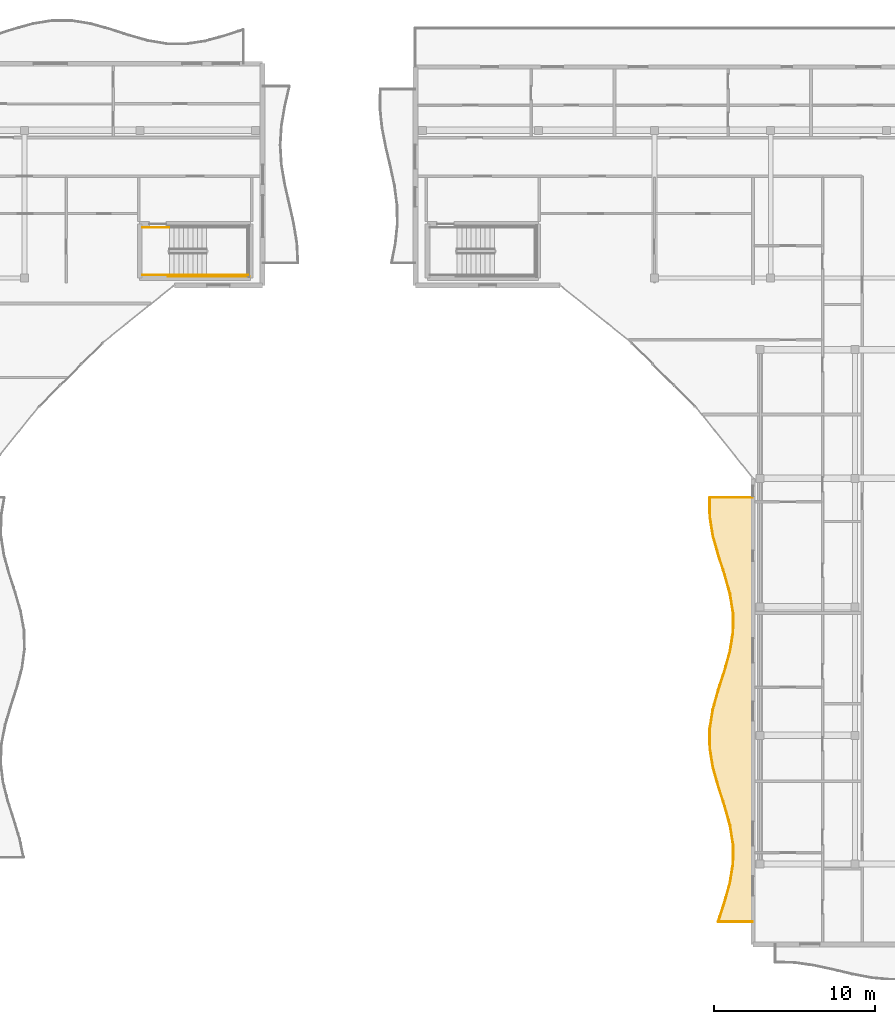
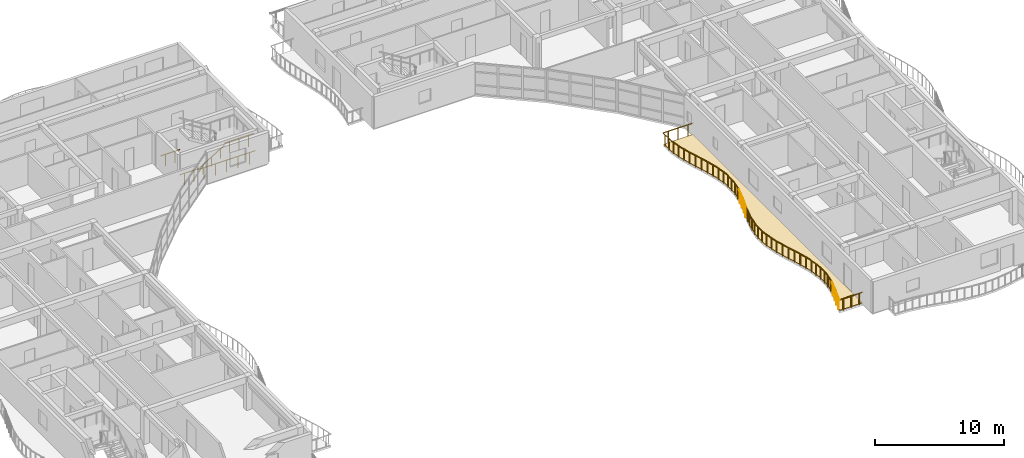
# One storey, part 33 of 39: 29 railings, 1 covering.
"""IFC4 building model written with IfcOpenShell, lengths in metres."""

import ifcopenshell
import ifcopenshell.guid

model = None  # the IFC model being written
_history = None  # IfcOwnerHistory: only IFC2X3 demands one
_inside = {}  # id of a spatial element -> (the spatial element, [elements in it])
_under = {}  # id of a project, library or spatial element -> (it, [spatial elements below it])
_declared = {}  # id of a project -> (the project, [libraries it declares])
_typed = {}  # id of a type object -> (the type object, [elements of that type])
_made_of = {}  # id of a material, layer set ... -> (it, [elements and type objects made of it])


def new_model(schema):
    """Start an empty IFC model of exactly this schema.

    Asked for "IFC4X3", IfcOpenShell would pick the latest addendum, in which some entities
    have other attributes; the version numbers below select the first issue.
    IFC2X3 requires an IfcOwnerHistory on every rooted entity: one is made here for all.
    """
    global model, _history
    if schema == "IFC4X3":
        model = ifcopenshell.file(schema_version=(4, 3, 0, 0))
    else:
        model = ifcopenshell.file(schema=schema)
    _inside.clear()
    _under.clear()
    _declared.clear()
    _typed.clear()
    _made_of.clear()
    _history = None
    if model.schema == "IFC2X3":
        org = make("IfcOrganization", Name="unknown")
        user = make(
            "IfcPersonAndOrganization",
            ThePerson=make("IfcPerson", FamilyName="unknown"),
            TheOrganization=org,
        )
        app = make(
            "IfcApplication",
            ApplicationDeveloper=org,
            Version="unknown",
            ApplicationFullName="unknown",
            ApplicationIdentifier="unknown",
        )
        _history = make(
            "IfcOwnerHistory",
            OwningUser=user,
            OwningApplication=app,
            ChangeAction="ADDED",
            CreationDate=0,
        )
    return model


def make(cls, **values):
    """One entity of the class cls with the attributes given. An attribute that is None is left unset."""
    return model.create_entity(
        cls, **{name: value for name, value in values.items() if value is not None}
    )


def rooted(cls, **values):
    """An entity with a GlobalId (a new one), such as an element, a storey or a relation."""
    return make(cls, GlobalId=ifcopenshell.guid.new(), OwnerHistory=_history, **values)


def si_unit(unit_type, name, prefix=None):
    """IfcSIUnit, for example si_unit("LENGTHUNIT", "METRE", prefix="MILLI")."""
    return make("IfcSIUnit", UnitType=unit_type, Prefix=prefix, Name=name)


def assignment(units):
    """IfcUnitAssignment: the units of a project."""
    return None if units is None else make("IfcUnitAssignment", Units=units)


def point(xyz):
    """IfcCartesianPoint."""
    return None if xyz is None else make("IfcCartesianPoint", Coordinates=xyz)


def direction(xyz):
    """IfcDirection."""
    return None if xyz is None else make("IfcDirection", DirectionRatios=xyz)


def frame(location, z_axis=None, x_axis=None):
    """IfcAxis2Placement3D, a coordinate frame: its origin and axes. An axis left out is left unset."""
    return make(
        "IfcAxis2Placement3D",
        Location=point(location),
        Axis=direction(z_axis),
        RefDirection=direction(x_axis),
    )


def frame_2d(location, x_axis=None):
    """IfcAxis2Placement2D, a coordinate frame in the plane: its origin and x axis."""
    return make(
        "IfcAxis2Placement2D", Location=point(location), RefDirection=direction(x_axis)
    )


def origin():
    """The frame at (0, 0, 0) with its axes left unset."""
    return frame((0.0, 0.0, 0.0))


def origin_2d():
    """The frame at (0, 0) in the plane with its x axis left unset."""
    return frame_2d((0.0, 0.0))


def place(relative_to, where):
    """IfcLocalPlacement: puts the frame where relative to a parent placement (None: the world)."""
    return make(
        "IfcLocalPlacement", PlacementRelTo=relative_to, RelativePlacement=where
    )


def context(
    kind, dimensions, precision=None, world=None, true_north=None, identifier=None
):
    """IfcGeometricRepresentationContext, for example the 3D "Model" context."""
    return make(
        "IfcGeometricRepresentationContext",
        ContextIdentifier=identifier,
        ContextType=kind,
        CoordinateSpaceDimension=dimensions,
        Precision=precision,
        WorldCoordinateSystem=world,
        TrueNorth=true_north,
    )


def subcontext(parent, identifier, kind, view, scale=None):
    """IfcGeometricRepresentationSubContext, for example "Body" below "Model"."""
    return make(
        "IfcGeometricRepresentationSubContext",
        ContextIdentifier=identifier,
        ContextType=kind,
        ParentContext=parent,
        TargetScale=scale,
        TargetView=view,
    )


def project(units=None, contexts=None):
    """IfcProject with its units and contexts."""
    return rooted(
        "IfcProject",
        Name="project",
        RepresentationContexts=contexts,
        UnitsInContext=assignment(units),
    )


def spatial(cls, under=None, at=None, **own):
    """A site, building, storey or space (cls), placed at a placement, below another one or the project."""
    s = rooted(cls, ObjectPlacement=at, **own)
    if under is not None:
        _under.setdefault(under.id(), (under, []))[1].append(s)
    return s


def polyline(points):
    """IfcPolyline through the points."""
    return make("IfcPolyline", Points=[point(p) for p in points])


def profile(cls, at=None, kind="AREA", **sizes):
    """A parametric profile (cls). Its sizes go by their IFC names, for example OverallWidth=200.0."""
    return make(cls, ProfileType=kind, Position=at, **sizes)


def circle(**sizes):
    """IfcCircleProfileDef."""
    return profile("IfcCircleProfileDef", **sizes)


def outline(outer, holes=None, kind="AREA"):
    """IfcArbitraryClosedProfileDef: a profile drawn as a closed curve; with holes, ...WithVoids."""
    if holes is None:
        return make("IfcArbitraryClosedProfileDef", ProfileType=kind, OuterCurve=outer)
    return make(
        "IfcArbitraryProfileDefWithVoids",
        ProfileType=kind,
        OuterCurve=outer,
        InnerCurves=holes,
    )


def extrude(swept, where, along, depth):
    """IfcExtrudedAreaSolid: the profile swept, set in the frame where, extruded along a direction by depth."""
    return make(
        "IfcExtrudedAreaSolid",
        SweptArea=swept,
        Position=where,
        ExtrudedDirection=direction(along),
        Depth=depth,
    )


def shape(context_of_items, identifier, shape_type, items):
    """IfcShapeRepresentation: the items that make up one representation, for example the "Body"."""
    return make(
        "IfcShapeRepresentation",
        ContextOfItems=context_of_items,
        RepresentationIdentifier=identifier,
        RepresentationType=shape_type,
        Items=items,
    )


def material(Name=None, Category=None):
    """IfcMaterial."""
    return make("IfcMaterial", Name=Name, Category=Category)


def layer(
    of_material, thickness, ventilated=None, Name=None, Category=None, Priority=None
):
    """IfcMaterialLayer: one layer of a wall or slab, of a material (None: an air gap)."""
    return make(
        "IfcMaterialLayer",
        Material=of_material,
        LayerThickness=thickness,
        IsVentilated=ventilated,
        Name=Name,
        Category=Category,
        Priority=Priority,
    )


def layer_set(layers, Name=None):
    """IfcMaterialLayerSet."""
    return make("IfcMaterialLayerSet", MaterialLayers=layers, LayerSetName=Name)


def made_of(thing, what):
    """Note that an element or type object is made of a material, layer set ...; save() writes the relation."""
    if what is not None:
        _made_of.setdefault(what.id(), (what, []))[1].append(thing)
    return thing


def type_object(cls, material=None, **own):
    """A type object (cls), such as IfcWallType, which elements share."""
    return made_of(rooted(cls, **own), material)


def element(
    cls,
    number,
    at=None,
    inside=None,
    cuts=None,
    type_object=None,
    material=None,
    context=None,
    identifier="Body",
    shape_type=None,
    held_by="IfcProductDefinitionShape",
    body=None,
    shapes=None,
    **own,
):
    """One element of the class cls, such as IfcWall. Its Tag is "e" and its number.

    at: its placement. inside: the storey or other place that contains it. cuts: it is an
    opening in that element (IfcRelVoidsElement). A single representation is given by context,
    identifier, shape_type and body (its items); several are given by shapes. held_by: the class
    of the entity that holds the representations. save() writes the other relations.
    """
    e = rooted(cls, Tag="e%d" % number, ObjectPlacement=at, **own)
    if body is not None:
        shapes = [shape(context, identifier, shape_type, body)]
    if shapes is not None:
        e.Representation = make(held_by, Representations=shapes)
    if inside is not None:
        _inside.setdefault(inside.id(), (inside, []))[1].append(e)
    if cuts is not None:
        rooted(
            "IfcRelVoidsElement", RelatingBuildingElement=cuts, RelatedOpeningElement=e
        )
    if type_object is not None:
        _typed.setdefault(type_object.id(), (type_object, []))[1].append(e)
    return made_of(e, material)


def aggregate(whole, parts):
    """IfcRelAggregates: a whole, such as a stair, and the parts it consists of."""
    return rooted("IfcRelAggregates", RelatingObject=whole, RelatedObjects=parts)


def save(model, path):
    """Write the relations noted so far, then the file.

    IfcRelAggregates (storeys below a building ...), IfcRelContainedInSpatialStructure (elements
    in a storey), IfcRelDefinesByType, IfcRelAssociatesMaterial and IfcRelDeclares: one each for
    every whole, place, type object, material and project.
    """
    for whole, parts in _under.values():
        aggregate(whole, parts)
    for where, things in _inside.values():
        rooted(
            "IfcRelContainedInSpatialStructure",
            RelatedElements=things,
            RelatingStructure=where,
        )
    for kind, things in _typed.values():
        rooted("IfcRelDefinesByType", RelatedObjects=things, RelatingType=kind)
    for what, things in _made_of.values():
        rooted("IfcRelAssociatesMaterial", RelatedObjects=things, RelatingMaterial=what)
    for by, libraries in _declared.values():
        rooted("IfcRelDeclares", RelatingContext=by, RelatedDefinitions=libraries)
    model.write(path)


model = new_model("IFC4")

# Units and contexts
model_context = context("Model", 3, precision=1e-05, world=origin(), true_north=direction((0.0, 1.0)))
body_context = subcontext(model_context, "Body", "Model", "MODEL_VIEW")
ifc_project = project(units=[si_unit("LENGTHUNIT", "METRE"), si_unit("AREAUNIT", "SQUARE_METRE"), si_unit("VOLUMEUNIT", "CUBIC_METRE"), si_unit("PLANEANGLEUNIT", "RADIAN"), si_unit("MASSUNIT", "GRAM", prefix="KILO")], contexts=[model_context])

# Site, building, storey
site_placement = place(None, origin())
site = spatial("IfcSite", under=ifc_project, at=site_placement, CompositionType="ELEMENT")
building_placement = place(site_placement, origin())
building = spatial("IfcBuilding", under=site, at=building_placement, Name="Keldmere Railside Commons", CompositionType="ELEMENT")
storey_placement = place(building_placement, frame((0.0, 0.0, 32.9599609375)))
storey = spatial("IfcBuildingStorey", under=building, at=storey_placement, Name="L10", CompositionType="ELEMENT", Elevation=32.9599609375)

# Railings
ifc_material_1 = material(Name="Steel F-24 (S235)", Category="steel")
railing_type_1 = type_object("IfcRailingType", Name="Balcony & Terrace Steel Balustrade 1100", PredefinedType="BALUSTRADE", material=ifc_material_1)
railing_1_placement = place(storey_placement, frame((168.0, 60.39990234375, 0.0)))
element("IfcRailing", 1, at=railing_1_placement, inside=storey, type_object=railing_type_1, Name="GR-1 GRD-L10-4338", PredefinedType="BALUSTRADE", context=body_context, shape_type="SweptSolid", body=[
    extrude(circle(Radius=0.02392578125, at=origin_2d()), frame((0.0, 0.0, 1.076171875), z_axis=(-1.0, 0.0, 0.0), x_axis=(0.0, -1.0, 0.0)), (0.0, 0.0, 1.0), 2.153564453125),
    extrude(circle(Radius=0.02099609375, at=origin_2d()), frame((-0.35888671875, 0.0, 0.0)), (0.0, 0.0, 1.0), 1.048095703125),
    extrude(circle(Radius=0.02099609375, at=origin_2d()), frame((-1.07666015625, 0.0, 0.0)), (0.0, 0.0, 1.0), 1.048095703125),
    extrude(circle(Radius=0.02099609375, at=origin_2d()), frame((-1.794677734375, 0.0, 0.0)), (0.0, 0.0, 1.0), 1.048095703125),
])
railing_2_placement = place(storey_placement, frame((165.846435546875, 60.39990234375, 0.0)))
element("IfcRailing", 2, at=railing_2_placement, inside=storey, type_object=railing_type_1, Name="GR-1 GRD-L10-4339", PredefinedType="BALUSTRADE", context=body_context, shape_type="SweptSolid", body=[
    extrude(circle(Radius=0.02392578125, at=origin_2d()), frame((0.0, 0.0, 1.076171875), z_axis=(0.307737834048, 0.95147119005, 0.0), x_axis=(-0.95147119005, 0.307737834048, 0.0)), (0.0, 0.0, 1.0), 1.261474609375),
    extrude(circle(Radius=0.02099609375, at=origin_2d()), frame((0.09716796875, 0.300048828125, 0.0)), (0.0, 0.0, 1.0), 1.048095703125),
    extrude(circle(Radius=0.02099609375, at=origin_2d()), frame((0.291015625, 0.900146484375, 0.0)), (0.0, 0.0, 1.0), 1.048095703125),
])
railing_3_placement = place(storey_placement, frame((166.234619140625, 61.60009765625, 0.0)))
element("IfcRailing", 3, at=railing_3_placement, inside=storey, type_object=railing_type_1, Name="GR-1 GRD-L10-4340", PredefinedType="BALUSTRADE", context=body_context, shape_type="SweptSolid", body=[
    extrude(circle(Radius=0.02392578125, at=origin_2d()), frame((0.0, 0.0, 1.076171875), z_axis=(0.271771739055, 0.962361741681, 0.0), x_axis=(-0.962361741681, 0.271771739055, 0.0)), (0.0, 0.0, 1.0), 1.246826171875),
    extrude(circle(Radius=0.02099609375, at=origin_2d()), frame((0.084716796875, 0.300048828125, 0.0)), (0.0, 0.0, 1.0), 1.048095703125),
    extrude(circle(Radius=0.02099609375, at=origin_2d()), frame((0.254150390625, 0.89990234375, 0.0)), (0.0, 0.0, 1.0), 1.048095703125),
])
railing_4_placement = place(storey_placement, frame((166.573486328125, 62.800048828125, 0.0)))
element("IfcRailing", 4, at=railing_4_placement, inside=storey, type_object=railing_type_1, Name="GR-1 GRD-L10-4341", PredefinedType="BALUSTRADE", context=body_context, shape_type="SweptSolid", body=[
    extrude(circle(Radius=0.02392578125, at=origin_2d()), frame((0.0, 0.0, 1.076171875), z_axis=(0.163194477471, 0.986593919768, 0.0), x_axis=(-0.986593919768, 0.163194477471, 0.0)), (0.0, 0.0, 1.0), 1.21630859375),
    extrude(circle(Radius=0.02099609375, at=origin_2d()), frame((0.049560546875, 0.300048828125, 0.0)), (0.0, 0.0, 1.0), 1.048095703125),
    extrude(circle(Radius=0.02099609375, at=origin_2d()), frame((0.14892578125, 0.89990234375, 0.0)), (0.0, 0.0, 1.0), 1.048095703125),
])
railing_5_placement = place(storey_placement, frame((166.77197265625, 64.0, 0.0)))
element("IfcRailing", 5, at=railing_5_placement, inside=storey, type_object=railing_type_1, Name="GR-1 GRD-L10-4342", PredefinedType="BALUSTRADE", context=body_context, shape_type="SweptSolid", body=[
    extrude(circle(Radius=0.02392578125, at=origin_2d()), frame((0.0, 0.0, 1.076171875), z_axis=(0.004069142303, 0.999991721006, 0.0), x_axis=(-0.999991721006, 0.004069142303, 0.0)), (0.0, 0.0, 1.0), 1.199951171875),
    extrude(circle(Radius=0.02099609375, at=origin_2d()), frame((0.001220703125, 0.300048828125, 0.0)), (0.0, 0.0, 1.0), 1.048095703125),
    extrude(circle(Radius=0.02099609375, at=origin_2d()), frame((0.003662109375, 0.89990234375, 0.0)), (0.0, 0.0, 1.0), 1.048095703125),
])
railing_6_placement = place(storey_placement, frame((166.77685546875, 65.199951171875, 0.0)))
element("IfcRailing", 6, at=railing_6_placement, inside=storey, type_object=railing_type_1, Name="GR-1 GRD-L10-4343", PredefinedType="BALUSTRADE", context=body_context, shape_type="SweptSolid", body=[
    extrude(circle(Radius=0.02392578125, at=origin_2d()), frame((0.0, 0.0, 1.076171875), z_axis=(-0.156148325793, 0.987733618114, 0.0), x_axis=(-0.987733618114, -0.156148325793, 0.0)), (0.0, 0.0, 1.0), 1.21484375),
    extrude(circle(Radius=0.02099609375, at=origin_2d()), frame((-0.04736328125, 0.300048828125, 0.0)), (0.0, 0.0, 1.0), 1.048095703125),
    extrude(circle(Radius=0.02099609375, at=origin_2d()), frame((-0.142333984375, 0.89990234375, 0.0)), (0.0, 0.0, 1.0), 1.048095703125),
])
railing_7_placement = place(storey_placement, frame((166.587158203125, 66.39990234375, 0.0)))
element("IfcRailing", 7, at=railing_7_placement, inside=storey, type_object=railing_type_1, Name="GR-1 GRD-L10-4344", PredefinedType="BALUSTRADE", context=body_context, shape_type="SweptSolid", body=[
    extrude(circle(Radius=0.02392578125, at=origin_2d()), frame((0.0, 0.0, 1.076171875), z_axis=(-0.267906659918, 0.963444872098, 0.0), x_axis=(-0.963444872098, -0.267906659918, 0.0)), (0.0, 0.0, 1.0), 1.245849609375),
    extrude(circle(Radius=0.02099609375, at=origin_2d()), frame((-0.08349609375, 0.300048828125, 0.0)), (0.0, 0.0, 1.0), 1.048095703125),
    extrude(circle(Radius=0.02099609375, at=origin_2d()), frame((-0.250244140625, 0.900146484375, 0.0)), (0.0, 0.0, 1.0), 1.048095703125),
])
railing_8_placement = place(storey_placement, frame((166.25341796875, 67.60009765625, 0.0)))
element("IfcRailing", 8, at=railing_8_placement, inside=storey, type_object=railing_type_1, Name="GR-1 GRD-L10-4345", PredefinedType="BALUSTRADE", context=body_context, shape_type="SweptSolid", body=[
    extrude(circle(Radius=0.02392578125, at=origin_2d()), frame((0.0, 0.0, 1.076171875), z_axis=(-0.307794514865, 0.9514528557, 0.0), x_axis=(-0.9514528557, -0.307794514865, 0.0)), (0.0, 0.0, 1.0), 1.26123046875),
    extrude(circle(Radius=0.02099609375, at=origin_2d()), frame((-0.09716796875, 0.300048828125, 0.0)), (0.0, 0.0, 1.0), 1.048095703125),
    extrude(circle(Radius=0.02099609375, at=origin_2d()), frame((-0.291015625, 0.89990234375, 0.0)), (0.0, 0.0, 1.0), 1.048095703125),
])
railing_9_placement = place(storey_placement, frame((165.865234375, 68.800048828125, 0.0)))
element("IfcRailing", 9, at=railing_9_placement, inside=storey, type_object=railing_type_1, Name="GR-1 GRD-L10-4346", PredefinedType="BALUSTRADE", context=body_context, shape_type="SweptSolid", body=[
    extrude(circle(Radius=0.02392578125, at=origin_2d()), frame((0.0, 0.0, 1.076171875), z_axis=(-0.271590385453, 0.962412937636, 0.0), x_axis=(-0.962412937636, -0.271590385453, 0.0)), (0.0, 0.0, 1.0), 1.246826171875),
    extrude(circle(Radius=0.02099609375, at=origin_2d()), frame((-0.084716796875, 0.300048828125, 0.0)), (0.0, 0.0, 1.0), 1.048095703125),
    extrude(circle(Radius=0.02099609375, at=origin_2d()), frame((-0.25390625, 0.89990234375, 0.0)), (0.0, 0.0, 1.0), 1.048095703125),
])
railing_10_placement = place(storey_placement, frame((165.526611328125, 70.0, 0.0)))
element("IfcRailing", 10, at=railing_10_placement, inside=storey, type_object=railing_type_1, Name="GR-1 GRD-L10-4347", PredefinedType="BALUSTRADE", context=body_context, shape_type="SweptSolid", body=[
    extrude(circle(Radius=0.02392578125, at=origin_2d()), frame((0.0, 0.0, 1.076171875), z_axis=(-0.163194477471, 0.986593919768, 0.0), x_axis=(-0.986593919768, -0.163194477471, 0.0)), (0.0, 0.0, 1.0), 1.21630859375),
    extrude(circle(Radius=0.02099609375, at=origin_2d()), frame((-0.049560546875, 0.300048828125, 0.0)), (0.0, 0.0, 1.0), 1.048095703125),
    extrude(circle(Radius=0.02099609375, at=origin_2d()), frame((-0.14892578125, 0.89990234375, 0.0)), (0.0, 0.0, 1.0), 1.048095703125),
])
railing_11_placement = place(storey_placement, frame((165.328125, 71.199951171875, 0.0)))
element("IfcRailing", 11, at=railing_11_placement, inside=storey, type_object=railing_type_1, Name="GR-1 GRD-L10-4348", PredefinedType="BALUSTRADE", context=body_context, shape_type="SweptSolid", body=[
    extrude(circle(Radius=0.02392578125, at=origin_2d()), frame((0.0, 0.0, 1.076171875), z_axis=(-0.004272595793, 0.999990872421, 0.0), x_axis=(-0.999990872421, -0.004272595793, 0.0)), (0.0, 0.0, 1.0), 1.199951171875),
    extrude(circle(Radius=0.02099609375, at=origin_2d()), frame((-0.001220703125, 0.300048828125, 0.0)), (0.0, 0.0, 1.0), 1.048095703125),
    extrude(circle(Radius=0.02099609375, at=origin_2d()), frame((-0.00390625, 0.89990234375, 0.0)), (0.0, 0.0, 1.0), 1.048095703125),
])
railing_12_placement = place(storey_placement, frame((165.322998046875, 72.39990234375, 0.0)))
element("IfcRailing", 12, at=railing_12_placement, inside=storey, type_object=railing_type_1, Name="GR-1 GRD-L10-4349", PredefinedType="BALUSTRADE", context=body_context, shape_type="SweptSolid", body=[
    extrude(circle(Radius=0.02392578125, at=origin_2d()), frame((0.0, 0.0, 1.076171875), z_axis=(0.156117336736, 0.987738516598, 0.0), x_axis=(-0.987738516598, 0.156117336736, 0.0)), (0.0, 0.0, 1.0), 1.215087890625),
    extrude(circle(Radius=0.02099609375, at=origin_2d()), frame((0.04736328125, 0.300048828125, 0.0)), (0.0, 0.0, 1.0), 1.048095703125),
    extrude(circle(Radius=0.02099609375, at=origin_2d()), frame((0.142333984375, 0.900146484375, 0.0)), (0.0, 0.0, 1.0), 1.048095703125),
])
railing_13_placement = place(storey_placement, frame((165.5126953125, 73.60009765625, 0.0)))
element("IfcRailing", 13, at=railing_13_placement, inside=storey, type_object=railing_type_1, Name="GR-1 GRD-L10-4350", PredefinedType="BALUSTRADE", context=body_context, shape_type="SweptSolid", body=[
    extrude(circle(Radius=0.02392578125, at=origin_2d()), frame((0.0, 0.0, 1.076171875), z_axis=(0.267957254524, 0.963430801744, 0.0), x_axis=(-0.963430801744, 0.267957254524, 0.0)), (0.0, 0.0, 1.0), 1.24560546875),
    extrude(circle(Radius=0.02099609375, at=origin_2d()), frame((0.08349609375, 0.300048828125, 0.0)), (0.0, 0.0, 1.0), 1.048095703125),
    extrude(circle(Radius=0.02099609375, at=origin_2d()), frame((0.250244140625, 0.89990234375, 0.0)), (0.0, 0.0, 1.0), 1.048095703125),
])
railing_14_placement = place(storey_placement, frame((165.846435546875, 74.800048828125, 0.0)))
element("IfcRailing", 14, at=railing_14_placement, inside=storey, type_object=railing_type_1, Name="GR-1 GRD-L10-4351", PredefinedType="BALUSTRADE", context=body_context, shape_type="SweptSolid", body=[
    extrude(circle(Radius=0.02392578125, at=origin_2d()), frame((0.0, 0.0, 1.076171875), z_axis=(0.307794514865, 0.9514528557, 0.0), x_axis=(-0.9514528557, 0.307794514865, 0.0)), (0.0, 0.0, 1.0), 1.26123046875),
    extrude(circle(Radius=0.02099609375, at=origin_2d()), frame((0.09716796875, 0.300048828125, 0.0)), (0.0, 0.0, 1.0), 1.048095703125),
    extrude(circle(Radius=0.02099609375, at=origin_2d()), frame((0.291015625, 0.89990234375, 0.0)), (0.0, 0.0, 1.0), 1.048095703125),
])
railing_15_placement = place(storey_placement, frame((166.234619140625, 76.0, 0.0)))
element("IfcRailing", 15, at=railing_15_placement, inside=storey, type_object=railing_type_1, Name="GR-1 GRD-L10-4352", PredefinedType="BALUSTRADE", context=body_context, shape_type="SweptSolid", body=[
    extrude(circle(Radius=0.02392578125, at=origin_2d()), frame((0.0, 0.0, 1.076171875), z_axis=(0.271771739055, 0.962361741681, 0.0), x_axis=(-0.962361741681, 0.271771739055, 0.0)), (0.0, 0.0, 1.0), 1.246826171875),
    extrude(circle(Radius=0.02099609375, at=origin_2d()), frame((0.084716796875, 0.300048828125, 0.0)), (0.0, 0.0, 1.0), 1.048095703125),
    extrude(circle(Radius=0.02099609375, at=origin_2d()), frame((0.254150390625, 0.89990234375, 0.0)), (0.0, 0.0, 1.0), 1.048095703125),
])
railing_16_placement = place(storey_placement, frame((166.573486328125, 77.199951171875, 0.0)))
element("IfcRailing", 16, at=railing_16_placement, inside=storey, type_object=railing_type_1, Name="GR-1 GRD-L10-4353", PredefinedType="BALUSTRADE", context=body_context, shape_type="SweptSolid", body=[
    extrude(circle(Radius=0.02392578125, at=origin_2d()), frame((0.0, 0.0, 1.076171875), z_axis=(0.163194477471, 0.986593919768, 0.0), x_axis=(-0.986593919768, 0.163194477471, 0.0)), (0.0, 0.0, 1.0), 1.21630859375),
    extrude(circle(Radius=0.02099609375, at=origin_2d()), frame((0.049560546875, 0.300048828125, 0.0)), (0.0, 0.0, 1.0), 1.048095703125),
    extrude(circle(Radius=0.02099609375, at=origin_2d()), frame((0.14892578125, 0.89990234375, 0.0)), (0.0, 0.0, 1.0), 1.048095703125),
])
railing_17_placement = place(storey_placement, frame((166.77197265625, 78.39990234375, 0.0)))
element("IfcRailing", 17, at=railing_17_placement, inside=storey, type_object=railing_type_1, Name="GR-1 GRD-L10-4354", PredefinedType="BALUSTRADE", context=body_context, shape_type="SweptSolid", body=[
    extrude(circle(Radius=0.02392578125, at=origin_2d()), frame((0.0, 0.0, 1.076171875), z_axis=(0.004068314582, 0.999991724374, 0.0), x_axis=(-0.999991724374, 0.004068314582, 0.0)), (0.0, 0.0, 1.0), 1.2001953125),
    extrude(circle(Radius=0.02099609375, at=origin_2d()), frame((0.001220703125, 0.300048828125, 0.0)), (0.0, 0.0, 1.0), 1.048095703125),
    extrude(circle(Radius=0.02099609375, at=origin_2d()), frame((0.003662109375, 0.900146484375, 0.0)), (0.0, 0.0, 1.0), 1.048095703125),
])
railing_18_placement = place(storey_placement, frame((166.77685546875, 79.60009765625, 0.0)))
element("IfcRailing", 18, at=railing_18_placement, inside=storey, type_object=railing_type_1, Name="GR-1 GRD-L10-4355", PredefinedType="BALUSTRADE", context=body_context, shape_type="SweptSolid", body=[
    extrude(circle(Radius=0.02392578125, at=origin_2d()), frame((0.0, 0.0, 1.076171875), z_axis=(-0.156148325793, 0.987733618114, 0.0), x_axis=(-0.987733618114, -0.156148325793, 0.0)), (0.0, 0.0, 1.0), 1.21484375),
    extrude(circle(Radius=0.02099609375, at=origin_2d()), frame((-0.04736328125, 0.300048828125, 0.0)), (0.0, 0.0, 1.0), 1.048095703125),
    extrude(circle(Radius=0.02099609375, at=origin_2d()), frame((-0.142333984375, 0.89990234375, 0.0)), (0.0, 0.0, 1.0), 1.048095703125),
])
railing_19_placement = place(storey_placement, frame((166.587158203125, 80.800048828125, 0.0)))
element("IfcRailing", 19, at=railing_19_placement, inside=storey, type_object=railing_type_1, Name="GR-1 GRD-L10-4356", PredefinedType="BALUSTRADE", context=body_context, shape_type="SweptSolid", body=[
    extrude(circle(Radius=0.02392578125, at=origin_2d()), frame((0.0, 0.0, 1.076171875), z_axis=(-0.267957254524, 0.963430801744, 0.0), x_axis=(-0.963430801744, -0.267957254524, 0.0)), (0.0, 0.0, 1.0), 1.24560546875),
    extrude(circle(Radius=0.02099609375, at=origin_2d()), frame((-0.08349609375, 0.300048828125, 0.0)), (0.0, 0.0, 1.0), 1.048095703125),
    extrude(circle(Radius=0.02099609375, at=origin_2d()), frame((-0.250244140625, 0.89990234375, 0.0)), (0.0, 0.0, 1.0), 1.048095703125),
])
railing_20_placement = place(storey_placement, frame((166.25341796875, 82.0, 0.0)))
element("IfcRailing", 20, at=railing_20_placement, inside=storey, type_object=railing_type_1, Name="GR-1 GRD-L10-4357", PredefinedType="BALUSTRADE", context=body_context, shape_type="SweptSolid", body=[
    extrude(circle(Radius=0.02392578125, at=origin_2d()), frame((0.0, 0.0, 1.076171875), z_axis=(-0.307794514865, 0.9514528557, 0.0), x_axis=(-0.9514528557, -0.307794514865, 0.0)), (0.0, 0.0, 1.0), 1.26123046875),
    extrude(circle(Radius=0.02099609375, at=origin_2d()), frame((-0.09716796875, 0.300048828125, 0.0)), (0.0, 0.0, 1.0), 1.048095703125),
    extrude(circle(Radius=0.02099609375, at=origin_2d()), frame((-0.291015625, 0.89990234375, 0.0)), (0.0, 0.0, 1.0), 1.048095703125),
])
railing_21_placement = place(storey_placement, frame((165.865234375, 83.199951171875, 0.0)))
element("IfcRailing", 21, at=railing_21_placement, inside=storey, type_object=railing_type_1, Name="GR-1 GRD-L10-4358", PredefinedType="BALUSTRADE", context=body_context, shape_type="SweptSolid", body=[
    extrude(circle(Radius=0.02392578125, at=origin_2d()), frame((0.0, 0.0, 1.076171875), z_axis=(-0.271590385453, 0.962412937636, 0.0), x_axis=(-0.962412937636, -0.271590385453, 0.0)), (0.0, 0.0, 1.0), 1.246826171875),
    extrude(circle(Radius=0.02099609375, at=origin_2d()), frame((-0.084716796875, 0.300048828125, 0.0)), (0.0, 0.0, 1.0), 1.048095703125),
    extrude(circle(Radius=0.02099609375, at=origin_2d()), frame((-0.25390625, 0.89990234375, 0.0)), (0.0, 0.0, 1.0), 1.048095703125),
])
railing_22_placement = place(storey_placement, frame((165.526611328125, 84.39990234375, 0.0)))
element("IfcRailing", 22, at=railing_22_placement, inside=storey, type_object=railing_type_1, Name="GR-1 GRD-L10-4359", PredefinedType="BALUSTRADE", context=body_context, shape_type="SweptSolid", body=[
    extrude(circle(Radius=0.02392578125, at=origin_2d()), frame((0.0, 0.0, 1.076171875), z_axis=(-0.163162164717, 0.986599264142, 0.0), x_axis=(-0.986599264142, -0.163162164717, 0.0)), (0.0, 0.0, 1.0), 1.216552734375),
    extrude(circle(Radius=0.02099609375, at=origin_2d()), frame((-0.049560546875, 0.300048828125, 0.0)), (0.0, 0.0, 1.0), 1.048095703125),
    extrude(circle(Radius=0.02099609375, at=origin_2d()), frame((-0.14892578125, 0.900146484375, 0.0)), (0.0, 0.0, 1.0), 1.048095703125),
])
railing_23_placement = place(storey_placement, frame((165.328125, 85.60009765625, 0.0)))
element("IfcRailing", 23, at=railing_23_placement, inside=storey, type_object=railing_type_1, Name="GR-1 GRD-L10-4360", PredefinedType="BALUSTRADE", context=body_context, shape_type="SweptSolid", body=[
    extrude(circle(Radius=0.02392578125, at=origin_2d()), frame((0.0, 0.0, 1.076171875), z_axis=(-0.004272595793, 0.999990872421, 0.0), x_axis=(-0.999990872421, -0.004272595793, 0.0)), (0.0, 0.0, 1.0), 1.199951171875),
    extrude(circle(Radius=0.02099609375, at=origin_2d()), frame((-0.001220703125, 0.300048828125, 0.0)), (0.0, 0.0, 1.0), 1.048095703125),
    extrude(circle(Radius=0.02099609375, at=origin_2d()), frame((-0.00390625, 0.89990234375, 0.0)), (0.0, 0.0, 1.0), 1.048095703125),
])
railing_24_placement = place(storey_placement, frame((165.322998046875, 86.800048828125, 0.0)))
element("IfcRailing", 24, at=railing_24_placement, inside=storey, type_object=railing_type_1, Name="GR-1 GRD-L10-4361", PredefinedType="BALUSTRADE", context=body_context, shape_type="SweptSolid", body=[
    extrude(circle(Radius=0.02392578125, at=origin_2d()), frame((0.0, 0.0, 1.076171875), z_axis=(1.0, 0.0, 0.0), x_axis=(0.0, 1.0, 0.0)), (0.0, 0.0, 1.0), 2.677001953125),
    extrude(circle(Radius=0.02099609375, at=origin_2d()), frame((0.4462890625, 0.0, 0.0)), (0.0, 0.0, 1.0), 1.048095703125),
    extrude(circle(Radius=0.02099609375, at=origin_2d()), frame((1.33837890625, 0.0, 0.0)), (0.0, 0.0, 1.0), 1.048095703125),
    extrude(circle(Radius=0.02099609375, at=origin_2d()), frame((2.23095703125, 0.0, 0.0)), (0.0, 0.0, 1.0), 1.048095703125),
])
railing_type_2 = type_object("IfcRailingType", Name="Stair Well Steel Guardrail 1100", PredefinedType="BALUSTRADE", material=ifc_material_1)
railing_25_placement = place(storey_placement, frame((134.02001953125, 100.64990234375, 1.60009765625)))
element("IfcRailing", 25, at=railing_25_placement, inside=storey, type_object=railing_type_2, Name="L10 ST-B2 stair guard 3", PredefinedType="BALUSTRADE", context=body_context, shape_type="SweptSolid", body=[
    extrude(circle(Radius=0.02392578125, at=origin_2d()), frame((0.0, 0.0, 1.076171875), z_axis=(1.0, 0.0, 0.0), x_axis=(0.0, 1.0, 0.0)), (0.0, 0.0, 1.0), 2.580078125),
    extrude(circle(Radius=0.02099609375, at=origin_2d()), frame((0.429931640625, 0.0, 0.0)), (0.0, 0.0, 1.0), 1.048095703125),
    extrude(circle(Radius=0.02099609375, at=origin_2d()), frame((1.2900390625, 0.0, 0.0)), (0.0, 0.0, 1.0), 1.048095703125),
    extrude(circle(Radius=0.02099609375, at=origin_2d()), frame((2.150146484375, 0.0, 0.0)), (0.0, 0.0, 1.0), 1.048095703125),
])
for number, where, name in (
    (26, (130.0, 100.64990234375, 0.0), "L10 ST-B2 stair guard 8"),
    (27, (130.0, 103.60009765625, 0.0), "L10 ST-B2 stair guard 9"),
):
    element("IfcRailing", number, at=place(storey_placement, frame(where)), inside=storey, type_object=railing_type_2, Name=name, PredefinedType="BALUSTRADE", context=body_context, shape_type="SweptSolid", body=[
        extrude(circle(Radius=0.02392578125, at=origin_2d()), frame((0.0, 0.0, 1.076171875), z_axis=(1.0, 0.0, 0.0), x_axis=(0.0, 1.0, 0.0)), (0.0, 0.0, 1.0), 1.699951171875),
        extrude(circle(Radius=0.02099609375, at=origin_2d()), frame((0.425048828125, 0.0, 0.0)), (0.0, 0.0, 1.0), 1.048095703125),
        extrude(circle(Radius=0.02099609375, at=origin_2d()), frame((1.27490234375, 0.0, 0.0)), (0.0, 0.0, 1.0), 1.048095703125),
    ])
railing_26_placement = place(storey_placement, frame((131.60009765625, 100.550048828125, 0.0)))
element("IfcRailing", 28, at=railing_26_placement, inside=storey, type_object=railing_type_2, Name="L10 ST-B2 stair guard 10", PredefinedType="BALUSTRADE", context=body_context, shape_type="SweptSolid", body=[
    extrude(circle(Radius=0.02392578125, at=origin_2d()), frame((0.0, 0.0, 1.076171875), z_axis=(1.0, 0.0, 0.0), x_axis=(0.0, 1.0, 0.0)), (0.0, 0.0, 1.0), 5.099853515625),
    extrude(circle(Radius=0.02099609375, at=origin_2d()), frame((0.510009765625, 0.0, 0.0)), (0.0, 0.0, 1.0), 1.048095703125),
    extrude(circle(Radius=0.02099609375, at=origin_2d()), frame((1.530029296875, 0.0, 0.0)), (0.0, 0.0, 1.0), 1.048095703125),
    extrude(circle(Radius=0.02099609375, at=origin_2d()), frame((2.5498046875, 0.0, 0.0)), (0.0, 0.0, 1.0), 1.048095703125),
    extrude(circle(Radius=0.02099609375, at=origin_2d()), frame((3.56982421875, 0.0, 0.0)), (0.0, 0.0, 1.0), 1.048095703125),
    extrude(circle(Radius=0.02099609375, at=origin_2d()), frame((4.58984375, 0.0, 0.0)), (0.0, 0.0, 1.0), 1.048095703125),
])
railing_type_3 = type_object("IfcRailingType", Name="Wall-Mounted Tubular Steel Handrail 900", PredefinedType="HANDRAIL", material=ifc_material_1)
railing_27_placement = place(storey_placement, frame((131.699951171875, 100.64990234375, 0.177734375)))
element("IfcRailing", 29, at=railing_27_placement, inside=storey, type_object=railing_type_3, Name="L10 ST-B2 stair handrail 1", PredefinedType="HANDRAIL", context=body_context, shape_type="SweptSolid", body=[
    extrude(circle(Radius=0.02392578125, at=origin_2d()), frame((0.0, 0.0, 0.8759765625), z_axis=(0.852538067394, 0.0, 0.522665135287), x_axis=(0.0, 1.0, 0.0)), (0.0, 0.0, 1.0), 2.721435546875),
    extrude(circle(Radius=0.02099609375, at=origin_2d()), frame((0.38671875, 0.0, 0.237060546875)), (0.0, 0.0, 1.0), 0.847900390625),
    extrude(circle(Radius=0.02099609375, at=origin_2d()), frame((1.16015625, 0.0, 0.711181640625)), (0.0, 0.0, 1.0), 0.847900390625),
    extrude(circle(Radius=0.02099609375, at=origin_2d()), frame((1.933349609375, 0.0, 1.185302734375)), (0.0, 0.0, 1.0), 0.847900390625),
])

# Covering
ifc_material_2 = material(Name="White Precast Concrete C35/45", Category="concrete")
ifc_layer = layer(ifc_material_2, 0.044921875, Name="White Architectural Balcony Ribbon Cladding 45")
ifc_layer_set = layer_set([ifc_layer], Name="White Precast Concrete C35/45")
covering_type = type_object("IfcCoveringType", Name="White Architectural Balcony Ribbon Cladding 45", PredefinedType="FLOORING", material=ifc_layer_set)
covering_placement = place(storey_placement, origin())
element("IfcCovering", 30, at=covering_placement, inside=storey, type_object=covering_type, Name="CLG-WB A L10 CW White Balcony Ribbon", PredefinedType="FLOORING", context=body_context, shape_type="SweptSolid", body=[
    extrude(outline(polyline([(167.9599609375, 86.760009765625), (165.36328125, 86.760009765625), (165.3681640625, 85.603515625), (165.565673828125, 84.40869140625), (165.903564453125, 83.211669921875), (166.29150390625, 82.01220703125), (166.2919921875, 82.0107421875), (166.625732421875, 80.810791015625), (166.626708984375, 80.80615234375), (166.81640625, 79.606201171875), (166.81689453125, 79.60302734375), (166.81689453125, 79.599853515625), (166.81201171875, 78.39990234375), (166.811767578125, 78.396484375), (166.811279296875, 78.3935546875), (166.61279296875, 77.193603515625), (166.61181640625, 77.189208984375), (166.273193359375, 75.989013671875), (166.272705078125, 75.98779296875), (165.884765625, 74.78857421875), (165.552001953125, 73.591552734375), (165.363037109375, 72.39697265625), (165.3681640625, 71.203369140625), (165.565673828125, 70.0087890625), (165.903564453125, 68.8115234375), (166.29150390625, 67.6123046875), (166.2919921875, 67.610595703125), (166.625732421875, 66.41064453125), (166.626708984375, 66.40625), (166.81640625, 65.206298828125), (166.81689453125, 65.202880859375), (166.81689453125, 65.19970703125), (166.81201171875, 63.999755859375), (166.811767578125, 63.99658203125), (166.811279296875, 63.993408203125), (166.61279296875, 62.79345703125), (166.61181640625, 62.7890625), (166.273193359375, 61.589111328125), (166.272705078125, 61.587646484375), (165.901611328125, 60.43994140625), (167.9599609375, 60.43994140625), (167.9599609375, 86.760009765625)])), origin(), (0.0, 0.0, 1.0), 0.044921875),
])

save(model, "model.ifc")
